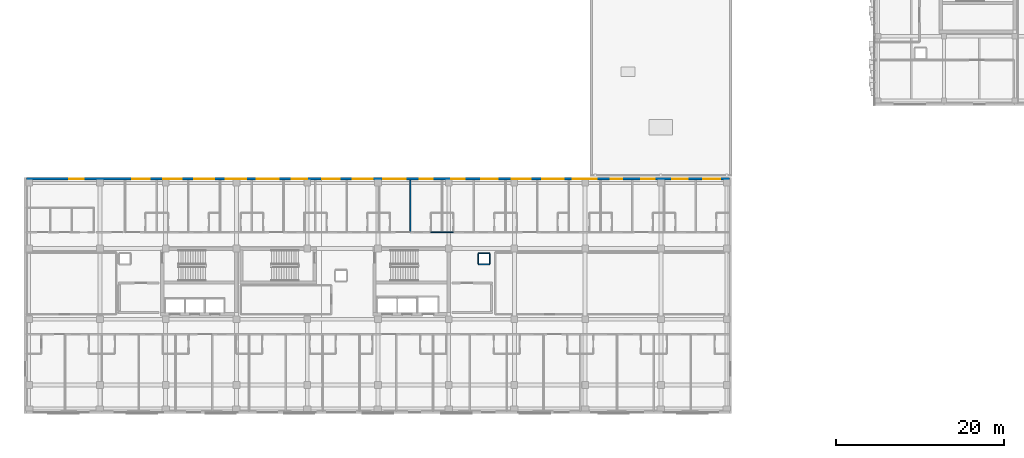
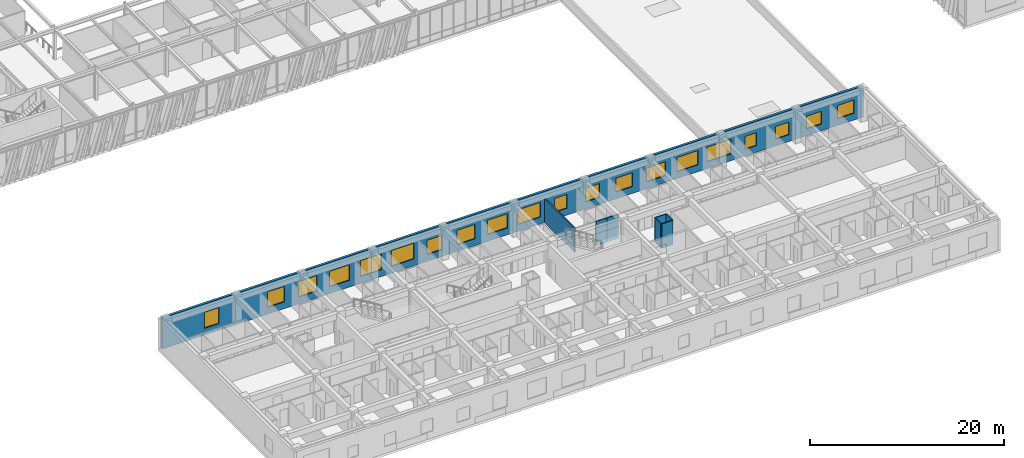
# One storey, part 101 of 127: 20 windows, 8 walls, 20 openings.
"""IFC4 building model written with IfcOpenShell, lengths in metres."""

from ifc_helpers import new_model, si_unit, direction, frame, frame_2d, origin, place, context, subcontext, project, spatial, rectangle, extrude, material, layer, layer_set, type_object, element, fill, save


model = new_model("IFC4")

# Units and contexts
model_context = context("Model", 3, precision=1e-05, world=origin(), true_north=direction((0.0, 1.0)))
body_context = subcontext(model_context, "Body", "Model", "MODEL_VIEW")
ifc_project = project(units=[si_unit("LENGTHUNIT", "METRE"), si_unit("AREAUNIT", "SQUARE_METRE"), si_unit("VOLUMEUNIT", "CUBIC_METRE"), si_unit("PLANEANGLEUNIT", "RADIAN"), si_unit("MASSUNIT", "GRAM", prefix="KILO")], contexts=[model_context])

# Site, building, storey
site_placement = place(None, origin())
site = spatial("IfcSite", under=ifc_project, at=site_placement, CompositionType="ELEMENT")
building_placement = place(site_placement, origin())
building = spatial("IfcBuilding", under=site, at=building_placement, Name="Zayran Congress Hotel", CompositionType="ELEMENT")
storey_placement = place(building_placement, frame((0.0, 0.0, 10.800048828125)))
storey = spatial("IfcBuildingStorey", under=building, at=storey_placement, Name="L02", CompositionType="ELEMENT", Elevation=10.800048828125)

# Wall, openings, windows
ifc_material_1 = material(Name="Hajar Ma'ani limestone cavity wall and concrete C32/40", Category="masonry")
ifc_layer_1 = layer(ifc_material_1, 0.280029296875)
ifc_layer_set_1 = layer_set([ifc_layer_1], Name="Hajar Ma'ani limestone cavity wall and concrete C32/40")
wall_type_1 = type_object("IfcWallType", Name="WL-EX-280", PredefinedType="SOLIDWALL", material=ifc_layer_set_1)
wall_1_placement = place(storey_placement, frame((8.679931640625, 33.860107421875, 0.0), z_axis=(0.0, 0.0, 1.0), x_axis=(1.0, 0.0, 0.0)))
wall_1 = element("IfcWall", 1, at=wall_1_placement, inside=storey, type_object=wall_type_1, Name="EW-V5-N-L02", PredefinedType="SOLIDWALL", context=body_context, shape_type="SweptSolid", body=[
    extrude(rectangle(XDim=83.440185546875, YDim=0.280029296875, at=frame_2d((41.72021484375, 0.0))), origin(), (0.0, 0.0, 1.0), 3.919921875),
])
opening_1_placement = place(wall_1_placement, frame((5.070068359375, 0.0, 0.85009765625)))
opening_1 = element("IfcOpeningElement", 2, at=opening_1_placement, cuts=wall_1, Name="Opening WN-27", PredefinedType="OPENING", context=body_context, shape_type="SweptSolid", body=[
    extrude(rectangle(XDim=1.699951171875, YDim=2.0, at=frame_2d((0.85009765625, 1.0))), frame((0.0, 0.14990234375, 0.0), z_axis=(0.0, -1.0, 0.0), x_axis=(1.0, 0.0, 0.0)), (0.0, 0.0, 1.0), 0.300048828125),
])
opening_2_placement = place(wall_1_placement, frame((12.556884765625, 0.0, 0.85009765625)))
opening_2 = element("IfcOpeningElement", 3, at=opening_2_placement, cuts=wall_1, Name="Opening WN-39", PredefinedType="OPENING", context=body_context, shape_type="SweptSolid", body=[
    extrude(rectangle(XDim=2.050048828125, YDim=1.949951171875, at=frame_2d((1.02490234375, 0.97509765625))), frame((0.0, 0.14990234375, 0.0), z_axis=(0.0, -1.0, 0.0), x_axis=(1.0, 0.0, 0.0)), (0.0, 0.0, 1.0), 0.300048828125),
])
opening_3_placement = place(wall_1_placement, frame((16.256103515625, 0.0, 0.85009765625)))
opening_3 = element("IfcOpeningElement", 4, at=opening_3_placement, cuts=wall_1, Name="Opening WN-40", PredefinedType="OPENING", context=body_context, shape_type="SweptSolid", body=[
    extrude(rectangle(XDim=2.179931640625, YDim=1.949951171875, at=frame_2d((1.08984375, 0.97509765625))), frame((0.0, 0.14990234375, 0.0), z_axis=(0.0, -1.0, 0.0), x_axis=(1.0, 0.0, 0.0)), (0.0, 0.0, 1.0), 0.300048828125),
])
opening_4_placement = place(wall_1_placement, frame((19.9208984375, 0.0, 0.85009765625)))
opening_4 = element("IfcOpeningElement", 5, at=opening_4_placement, cuts=wall_1, Name="Opening WN-41", PredefinedType="OPENING", context=body_context, shape_type="SweptSolid", body=[
    extrude(rectangle(XDim=2.3798828125, YDim=1.949951171875, at=frame_2d((1.18994140625, 0.97509765625))), frame((0.0, 0.14990234375, 0.0), z_axis=(0.0, -1.0, 0.0), x_axis=(1.0, 0.0, 0.0)), (0.0, 0.0, 1.0), 0.300048828125),
])
opening_5_placement = place(wall_1_placement, frame((23.635009765625, 0.0, 0.85009765625)))
opening_5 = element("IfcOpeningElement", 6, at=opening_5_placement, cuts=wall_1, Name="Opening WN-42", PredefinedType="OPENING", context=body_context, shape_type="SweptSolid", body=[
    extrude(rectangle(XDim=2.47998046875, YDim=2.0, at=frame_2d((1.239990234375, 1.0))), frame((0.0, 0.14990234375, 0.0), z_axis=(0.0, -1.0, 0.0), x_axis=(1.0, 0.0, 0.0)), (0.0, 0.0, 1.0), 0.300048828125),
])
opening_6_placement = place(wall_1_placement, frame((27.31396484375, 0.0, 0.85009765625)))
opening_6 = element("IfcOpeningElement", 7, at=opening_6_placement, cuts=wall_1, Name="Opening WN-43", PredefinedType="OPENING", context=body_context, shape_type="SweptSolid", body=[
    extrude(rectangle(XDim=2.64990234375, YDim=2.0, at=frame_2d((1.324951171875, 1.0))), frame((0.0, 0.14990234375, 0.0), z_axis=(0.0, -1.0, 0.0), x_axis=(1.0, 0.0, 0.0)), (0.0, 0.0, 1.0), 0.300048828125),
])
opening_7_placement = place(wall_1_placement, frame((31.5029296875, 0.0, 0.85009765625)))
opening_7 = element("IfcOpeningElement", 8, at=opening_7_placement, cuts=wall_1, Name="Opening WN-01", PredefinedType="OPENING", context=body_context, shape_type="SweptSolid", body=[
    extrude(rectangle(XDim=1.800048828125, YDim=1.800048828125, at=frame_2d((0.89990234375, 0.89990234375))), frame((0.0, 0.14990234375, 0.0), z_axis=(0.0, -1.0, 0.0), x_axis=(1.0, 0.0, 0.0)), (0.0, 0.0, 1.0), 0.300048828125),
])
opening_8_placement = place(wall_1_placement, frame((35.116943359375, 0.0, 0.85009765625)))
opening_8 = element("IfcOpeningElement", 9, at=opening_8_placement, cuts=wall_1, Name="Opening WN-02", PredefinedType="OPENING", context=body_context, shape_type="SweptSolid", body=[
    extrude(rectangle(XDim=2.10009765625, YDim=1.800048828125, at=frame_2d((1.050048828125, 0.89990234375))), frame((0.0, 0.14990234375, 0.0), z_axis=(0.0, -1.0, 0.0), x_axis=(1.0, 0.0, 0.0)), (0.0, 0.0, 1.0), 0.300048828125),
])
opening_9_placement = place(wall_1_placement, frame((38.73095703125, 0.0, 0.85009765625)))
opening_9 = element("IfcOpeningElement", 10, at=opening_9_placement, cuts=wall_1, Name="Opening WN-03", PredefinedType="OPENING", context=body_context, shape_type="SweptSolid", body=[
    extrude(rectangle(XDim=2.39990234375, YDim=1.800048828125, at=frame_2d((1.199951171875, 0.89990234375))), frame((0.0, 0.14990234375, 0.0), z_axis=(0.0, -1.0, 0.0), x_axis=(1.0, 0.0, 0.0)), (0.0, 0.0, 1.0), 0.300048828125),
])
opening_10_placement = place(wall_1_placement, frame((42.345947265625, 0.0, 0.85009765625)))
opening_10 = element("IfcOpeningElement", 11, at=opening_10_placement, cuts=wall_1, Name="Opening WN-04", PredefinedType="OPENING", context=body_context, shape_type="SweptSolid", body=[
    extrude(rectangle(XDim=2.699951171875, YDim=1.85009765625, at=frame_2d((1.35009765625, 0.925048828125))), frame((0.0, 0.14990234375, 0.0), z_axis=(0.0, -1.0, 0.0), x_axis=(1.0, 0.0, 0.0)), (0.0, 0.0, 1.0), 0.300048828125),
])
opening_11_placement = place(wall_1_placement, frame((46.7099609375, 0.0, 0.85009765625)))
opening_11 = element("IfcOpeningElement", 12, at=opening_11_placement, cuts=wall_1, Name="Opening WN-06", PredefinedType="OPENING", context=body_context, shape_type="SweptSolid", body=[
    extrude(rectangle(XDim=1.5, YDim=1.75, at=frame_2d((0.75, 0.875))), frame((0.0, 0.14990234375, 0.0), z_axis=(0.0, -1.0, 0.0), x_axis=(1.0, 0.0, 0.0)), (0.0, 0.0, 1.0), 0.300048828125),
])
opening_12_placement = place(wall_1_placement, frame((50.39892578125, 0.0, 0.85009765625)))
opening_12 = element("IfcOpeningElement", 13, at=opening_12_placement, cuts=wall_1, Name="Opening WN-07", PredefinedType="OPENING", context=body_context, shape_type="SweptSolid", body=[
    extrude(rectangle(XDim=1.64990234375, YDim=1.75, at=frame_2d((0.824951171875, 0.875))), frame((0.0, 0.14990234375, 0.0), z_axis=(0.0, -1.0, 0.0), x_axis=(1.0, 0.0, 0.0)), (0.0, 0.0, 1.0), 0.300048828125),
])
opening_13_placement = place(wall_1_placement, frame((54.013916015625, 0.0, 0.85009765625)))
opening_13 = element("IfcOpeningElement", 14, at=opening_13_placement, cuts=wall_1, Name="Opening WN-08", PredefinedType="OPENING", context=body_context, shape_type="SweptSolid", body=[
    extrude(rectangle(XDim=1.949951171875, YDim=1.75, at=frame_2d((0.97509765625, 0.875))), frame((0.0, 0.14990234375, 0.0), z_axis=(0.0, -1.0, 0.0), x_axis=(1.0, 0.0, 0.0)), (0.0, 0.0, 1.0), 0.300048828125),
])
opening_14_placement = place(wall_1_placement, frame((57.6279296875, 0.0, 0.85009765625)))
opening_14 = element("IfcOpeningElement", 15, at=opening_14_placement, cuts=wall_1, Name="Opening WN-09", PredefinedType="OPENING", context=body_context, shape_type="SweptSolid", body=[
    extrude(rectangle(XDim=2.25, YDim=1.75, at=frame_2d((1.125, 0.875))), frame((0.0, 0.14990234375, 0.0), z_axis=(0.0, -1.0, 0.0), x_axis=(1.0, 0.0, 0.0)), (0.0, 0.0, 1.0), 0.300048828125),
])
opening_15_placement = place(wall_1_placement, frame((61.241943359375, 0.0, 0.85009765625)))
opening_15 = element("IfcOpeningElement", 16, at=opening_15_placement, cuts=wall_1, Name="Opening WN-10", PredefinedType="OPENING", context=body_context, shape_type="SweptSolid", body=[
    extrude(rectangle(XDim=2.550048828125, YDim=1.800048828125, at=frame_2d((1.27490234375, 0.89990234375))), frame((0.0, 0.14990234375, 0.0), z_axis=(0.0, -1.0, 0.0), x_axis=(1.0, 0.0, 0.0)), (0.0, 0.0, 1.0), 0.300048828125),
])
opening_16_placement = place(wall_1_placement, frame((64.85595703125, 0.0, 0.85009765625)))
opening_16 = element("IfcOpeningElement", 17, at=opening_16_placement, cuts=wall_1, Name="Opening WN-11", PredefinedType="OPENING", context=body_context, shape_type="SweptSolid", body=[
    extrude(rectangle(XDim=2.85009765625, YDim=1.85009765625, at=frame_2d((1.425048828125, 0.925048828125))), frame((0.0, 0.14990234375, 0.0), z_axis=(0.0, -1.0, 0.0), x_axis=(1.0, 0.0, 0.0)), (0.0, 0.0, 1.0), 0.300048828125),
])
opening_17_placement = place(wall_1_placement, frame((69.344970703125, 0.0, 0.85009765625)))
opening_17 = element("IfcOpeningElement", 18, at=opening_17_placement, cuts=wall_1, Name="Opening WN-14", PredefinedType="OPENING", context=body_context, shape_type="SweptSolid", body=[
    extrude(rectangle(XDim=1.39990234375, YDim=1.60009765625, at=frame_2d((0.699951171875, 0.800048828125))), frame((0.0, 0.14990234375, 0.0), z_axis=(0.0, -1.0, 0.0), x_axis=(1.0, 0.0, 0.0)), (0.0, 0.0, 1.0), 0.300048828125),
])
opening_18_placement = place(wall_1_placement, frame((73.009033203125, 0.0, 0.85009765625)))
opening_18 = element("IfcOpeningElement", 19, at=opening_18_placement, cuts=wall_1, Name="Opening WN-15", PredefinedType="OPENING", context=body_context, shape_type="SweptSolid", body=[
    extrude(rectangle(XDim=1.60009765625, YDim=1.60009765625, at=frame_2d((0.800048828125, 0.800048828125))), frame((0.0, 0.14990234375, 0.0), z_axis=(0.0, -1.0, 0.0), x_axis=(1.0, 0.0, 0.0)), (0.0, 0.0, 1.0), 0.300048828125),
])
opening_19_placement = place(wall_1_placement, frame((76.674072265625, 0.0, 0.85009765625)))
opening_19 = element("IfcOpeningElement", 20, at=opening_19_placement, cuts=wall_1, Name="Opening WN-16", PredefinedType="OPENING", context=body_context, shape_type="SweptSolid", body=[
    extrude(rectangle(XDim=1.800048828125, YDim=1.60009765625, at=frame_2d((0.89990234375, 0.800048828125))), frame((0.0, 0.14990234375, 0.0), z_axis=(0.0, -1.0, 0.0), x_axis=(1.0, 0.0, 0.0)), (0.0, 0.0, 1.0), 0.300048828125),
])
opening_20_placement = place(wall_1_placement, frame((80.337890625, 0.0, 0.85009765625)))
opening_20 = element("IfcOpeningElement", 21, at=opening_20_placement, cuts=wall_1, Name="Opening WN-17", PredefinedType="OPENING", context=body_context, shape_type="SweptSolid", body=[
    extrude(rectangle(XDim=2.0, YDim=1.64990234375, at=frame_2d((1.0, 0.824951171875))), frame((0.0, 0.14990234375, 0.0), z_axis=(0.0, -1.0, 0.0), x_axis=(1.0, 0.0, 0.0)), (0.0, 0.0, 1.0), 0.300048828125),
])
ifc_material_2 = material(Name="Anodised aluminium and low-E insulated glass", Category="aluminium")
window_type_1 = type_object("IfcWindowType", Name="TP-WN-01", PartitioningType="SINGLE_PANEL", PredefinedType="WINDOW", material=ifc_material_2)
window_1_placement = place(opening_7_placement, origin())
window_1 = element("IfcWindow", 22, at=window_1_placement, inside=storey, type_object=window_type_1, Name="WIN-V5N-L02-0216", OverallHeight=1.800048828125, OverallWidth=1.800048828125, PartitioningType="SINGLE_PANEL", PredefinedType="WINDOW", context=body_context, shape_type="SweptSolid", body=[
    extrude(rectangle(XDim=1.800048828125, YDim=1.800048828125, at=frame_2d((0.89990234375, 0.89990234375))), frame((0.0, 0.030029296875, 0.0), z_axis=(0.0, -1.0, 0.0), x_axis=(1.0, 0.0, 0.0)), (0.0, 0.0, 1.0), 0.06005859375),
])
fill(opening_7, window_1)
window_type_2 = type_object("IfcWindowType", Name="TP-WN-02", PartitioningType="DOUBLE_PANEL_VERTICAL", PredefinedType="WINDOW", material=ifc_material_2)
window_2_placement = place(opening_8_placement, origin())
window_2 = element("IfcWindow", 23, at=window_2_placement, inside=storey, type_object=window_type_2, Name="WIN-V5N-L02-0217", OverallHeight=1.800048828125, OverallWidth=2.10009765625, PartitioningType="SINGLE_PANEL", PredefinedType="WINDOW", context=body_context, shape_type="SweptSolid", body=[
    extrude(rectangle(XDim=2.10009765625, YDim=1.800048828125, at=frame_2d((1.050048828125, 0.89990234375))), frame((0.0, 0.030029296875, 0.0), z_axis=(0.0, -1.0, 0.0), x_axis=(1.0, 0.0, 0.0)), (0.0, 0.0, 1.0), 0.06005859375),
])
fill(opening_8, window_2)
window_type_3 = type_object("IfcWindowType", Name="TP-WN-03", PartitioningType="DOUBLE_PANEL_VERTICAL", PredefinedType="WINDOW", material=ifc_material_2)
window_3_placement = place(opening_9_placement, origin())
window_3 = element("IfcWindow", 24, at=window_3_placement, inside=storey, type_object=window_type_3, Name="WIN-V5N-L02-0218", OverallHeight=1.800048828125, OverallWidth=2.39990234375, PartitioningType="SINGLE_PANEL", PredefinedType="WINDOW", context=body_context, shape_type="SweptSolid", body=[
    extrude(rectangle(XDim=2.39990234375, YDim=1.800048828125, at=frame_2d((1.199951171875, 0.89990234375))), frame((0.0, 0.030029296875, 0.0), z_axis=(0.0, -1.0, 0.0), x_axis=(1.0, 0.0, 0.0)), (0.0, 0.0, 1.0), 0.06005859375),
])
fill(opening_9, window_3)
window_type_4 = type_object("IfcWindowType", Name="TP-WN-04", PartitioningType="TRIPLE_PANEL_VERTICAL", PredefinedType="WINDOW", material=ifc_material_2)
window_4_placement = place(opening_10_placement, origin())
window_4 = element("IfcWindow", 25, at=window_4_placement, inside=storey, type_object=window_type_4, Name="WIN-V5N-L02-0219", OverallHeight=1.85009765625, OverallWidth=2.699951171875, PartitioningType="SINGLE_PANEL", PredefinedType="WINDOW", context=body_context, shape_type="SweptSolid", body=[
    extrude(rectangle(XDim=2.699951171875, YDim=1.85009765625, at=frame_2d((1.35009765625, 0.925048828125))), frame((0.0, 0.030029296875, 0.0), z_axis=(0.0, -1.0, 0.0), x_axis=(1.0, 0.0, 0.0)), (0.0, 0.0, 1.0), 0.06005859375),
])
fill(opening_10, window_4)
window_type_5 = type_object("IfcWindowType", Name="TP-WN-06", PartitioningType="SINGLE_PANEL", PredefinedType="WINDOW", material=ifc_material_2)
window_5_placement = place(opening_11_placement, origin())
window_5 = element("IfcWindow", 26, at=window_5_placement, inside=storey, type_object=window_type_5, Name="WIN-V5N-L02-0220", OverallHeight=1.75, OverallWidth=1.5, PartitioningType="SINGLE_PANEL", PredefinedType="WINDOW", context=body_context, shape_type="SweptSolid", body=[
    extrude(rectangle(XDim=1.5, YDim=1.75, at=frame_2d((0.75, 0.875))), frame((0.0, 0.030029296875, 0.0), z_axis=(0.0, -1.0, 0.0), x_axis=(1.0, 0.0, 0.0)), (0.0, 0.0, 1.0), 0.06005859375),
])
fill(opening_11, window_5)
window_type_6 = type_object("IfcWindowType", Name="TP-WN-07", PartitioningType="SINGLE_PANEL", PredefinedType="WINDOW", material=ifc_material_2)
window_6_placement = place(opening_12_placement, origin())
window_6 = element("IfcWindow", 27, at=window_6_placement, inside=storey, type_object=window_type_6, Name="WIN-V5N-L02-0221", OverallHeight=1.75, OverallWidth=1.64990234375, PartitioningType="SINGLE_PANEL", PredefinedType="WINDOW", context=body_context, shape_type="SweptSolid", body=[
    extrude(rectangle(XDim=1.64990234375, YDim=1.75, at=frame_2d((0.824951171875, 0.875))), frame((0.0, 0.030029296875, 0.0), z_axis=(0.0, -1.0, 0.0), x_axis=(1.0, 0.0, 0.0)), (0.0, 0.0, 1.0), 0.06005859375),
])
fill(opening_12, window_6)
window_type_7 = type_object("IfcWindowType", Name="TP-WN-08", PartitioningType="DOUBLE_PANEL_VERTICAL", PredefinedType="WINDOW", material=ifc_material_2)
window_7_placement = place(opening_13_placement, origin())
window_7 = element("IfcWindow", 28, at=window_7_placement, inside=storey, type_object=window_type_7, Name="WIN-V5N-L02-0222", OverallHeight=1.75, OverallWidth=1.949951171875, PartitioningType="SINGLE_PANEL", PredefinedType="WINDOW", context=body_context, shape_type="SweptSolid", body=[
    extrude(rectangle(XDim=1.949951171875, YDim=1.75, at=frame_2d((0.97509765625, 0.875))), frame((0.0, 0.030029296875, 0.0), z_axis=(0.0, -1.0, 0.0), x_axis=(1.0, 0.0, 0.0)), (0.0, 0.0, 1.0), 0.06005859375),
])
fill(opening_13, window_7)
window_type_8 = type_object("IfcWindowType", Name="TP-WN-09", PartitioningType="DOUBLE_PANEL_VERTICAL", PredefinedType="WINDOW", material=ifc_material_2)
window_8_placement = place(opening_14_placement, origin())
window_8 = element("IfcWindow", 29, at=window_8_placement, inside=storey, type_object=window_type_8, Name="WIN-V5N-L02-0223", OverallHeight=1.75, OverallWidth=2.25, PartitioningType="SINGLE_PANEL", PredefinedType="WINDOW", context=body_context, shape_type="SweptSolid", body=[
    extrude(rectangle(XDim=2.25, YDim=1.75, at=frame_2d((1.125, 0.875))), frame((0.0, 0.030029296875, 0.0), z_axis=(0.0, -1.0, 0.0), x_axis=(1.0, 0.0, 0.0)), (0.0, 0.0, 1.0), 0.06005859375),
])
fill(opening_14, window_8)
window_type_9 = type_object("IfcWindowType", Name="TP-WN-10", PartitioningType="DOUBLE_PANEL_VERTICAL", PredefinedType="WINDOW", material=ifc_material_2)
window_9_placement = place(opening_15_placement, origin())
window_9 = element("IfcWindow", 30, at=window_9_placement, inside=storey, type_object=window_type_9, Name="WIN-V5N-L02-0224", OverallHeight=1.800048828125, OverallWidth=2.550048828125, PartitioningType="SINGLE_PANEL", PredefinedType="WINDOW", context=body_context, shape_type="SweptSolid", body=[
    extrude(rectangle(XDim=2.550048828125, YDim=1.800048828125, at=frame_2d((1.27490234375, 0.89990234375))), frame((0.0, 0.030029296875, 0.0), z_axis=(0.0, -1.0, 0.0), x_axis=(1.0, 0.0, 0.0)), (0.0, 0.0, 1.0), 0.06005859375),
])
fill(opening_15, window_9)
window_type_10 = type_object("IfcWindowType", Name="TP-WN-11", PartitioningType="TRIPLE_PANEL_VERTICAL", PredefinedType="WINDOW", material=ifc_material_2)
window_10_placement = place(opening_16_placement, origin())
window_10 = element("IfcWindow", 31, at=window_10_placement, inside=storey, type_object=window_type_10, Name="WIN-V5N-L02-0225", OverallHeight=1.85009765625, OverallWidth=2.85009765625, PartitioningType="SINGLE_PANEL", PredefinedType="WINDOW", context=body_context, shape_type="SweptSolid", body=[
    extrude(rectangle(XDim=2.85009765625, YDim=1.85009765625, at=frame_2d((1.425048828125, 0.925048828125))), frame((0.0, 0.030029296875, 0.0), z_axis=(0.0, -1.0, 0.0), x_axis=(1.0, 0.0, 0.0)), (0.0, 0.0, 1.0), 0.06005859375),
])
fill(opening_16, window_10)
window_type_11 = type_object("IfcWindowType", Name="TP-WN-14", PartitioningType="SINGLE_PANEL", PredefinedType="WINDOW", material=ifc_material_2)
window_11_placement = place(opening_17_placement, origin())
window_11 = element("IfcWindow", 32, at=window_11_placement, inside=storey, type_object=window_type_11, Name="WIN-V5N-L02-0226", OverallHeight=1.60009765625, OverallWidth=1.39990234375, PartitioningType="SINGLE_PANEL", PredefinedType="WINDOW", context=body_context, shape_type="SweptSolid", body=[
    extrude(rectangle(XDim=1.39990234375, YDim=1.60009765625, at=frame_2d((0.699951171875, 0.800048828125))), frame((0.0, 0.030029296875, 0.0), z_axis=(0.0, -1.0, 0.0), x_axis=(1.0, 0.0, 0.0)), (0.0, 0.0, 1.0), 0.06005859375),
])
fill(opening_17, window_11)
window_type_12 = type_object("IfcWindowType", Name="TP-WN-15", PartitioningType="SINGLE_PANEL", PredefinedType="WINDOW", material=ifc_material_2)
window_12_placement = place(opening_18_placement, origin())
window_12 = element("IfcWindow", 33, at=window_12_placement, inside=storey, type_object=window_type_12, Name="WIN-V5N-L02-0227", OverallHeight=1.60009765625, OverallWidth=1.60009765625, PartitioningType="SINGLE_PANEL", PredefinedType="WINDOW", context=body_context, shape_type="SweptSolid", body=[
    extrude(rectangle(XDim=1.60009765625, YDim=1.60009765625, at=frame_2d((0.800048828125, 0.800048828125))), frame((0.0, 0.030029296875, 0.0), z_axis=(0.0, -1.0, 0.0), x_axis=(1.0, 0.0, 0.0)), (0.0, 0.0, 1.0), 0.06005859375),
])
fill(opening_18, window_12)
window_type_13 = type_object("IfcWindowType", Name="TP-WN-16", PartitioningType="DOUBLE_PANEL_VERTICAL", PredefinedType="WINDOW", material=ifc_material_2)
window_13_placement = place(opening_19_placement, origin())
window_13 = element("IfcWindow", 34, at=window_13_placement, inside=storey, type_object=window_type_13, Name="WIN-V5N-L02-0228", OverallHeight=1.60009765625, OverallWidth=1.800048828125, PartitioningType="SINGLE_PANEL", PredefinedType="WINDOW", context=body_context, shape_type="SweptSolid", body=[
    extrude(rectangle(XDim=1.800048828125, YDim=1.60009765625, at=frame_2d((0.89990234375, 0.800048828125))), frame((0.0, 0.030029296875, 0.0), z_axis=(0.0, -1.0, 0.0), x_axis=(1.0, 0.0, 0.0)), (0.0, 0.0, 1.0), 0.06005859375),
])
fill(opening_19, window_13)
window_type_14 = type_object("IfcWindowType", Name="TP-WN-17", PartitioningType="DOUBLE_PANEL_VERTICAL", PredefinedType="WINDOW", material=ifc_material_2)
window_14_placement = place(opening_20_placement, origin())
window_14 = element("IfcWindow", 35, at=window_14_placement, inside=storey, type_object=window_type_14, Name="WIN-V5N-L02-0229", OverallHeight=1.64990234375, OverallWidth=2.0, PartitioningType="SINGLE_PANEL", PredefinedType="WINDOW", context=body_context, shape_type="SweptSolid", body=[
    extrude(rectangle(XDim=2.0, YDim=1.64990234375, at=frame_2d((1.0, 0.824951171875))), frame((0.0, 0.030029296875, 0.0), z_axis=(0.0, -1.0, 0.0), x_axis=(1.0, 0.0, 0.0)), (0.0, 0.0, 1.0), 0.06005859375),
])
fill(opening_20, window_14)
window_type_15 = type_object("IfcWindowType", Name="TP-WN-27", PartitioningType="DOUBLE_PANEL_VERTICAL", PredefinedType="WINDOW", material=ifc_material_2)
window_15_placement = place(opening_1_placement, origin())
window_15 = element("IfcWindow", 36, at=window_15_placement, inside=storey, type_object=window_type_15, Name="WIN-V5N-L02-0210", OverallHeight=2.0, OverallWidth=1.699951171875, PartitioningType="SINGLE_PANEL", PredefinedType="WINDOW", context=body_context, shape_type="SweptSolid", body=[
    extrude(rectangle(XDim=1.699951171875, YDim=2.0, at=frame_2d((0.85009765625, 1.0))), frame((0.0, 0.030029296875, 0.0), z_axis=(0.0, -1.0, 0.0), x_axis=(1.0, 0.0, 0.0)), (0.0, 0.0, 1.0), 0.06005859375),
])
fill(opening_1, window_15)
window_type_16 = type_object("IfcWindowType", Name="TP-WN-39", PartitioningType="DOUBLE_PANEL_VERTICAL", PredefinedType="WINDOW", material=ifc_material_2)
window_16_placement = place(opening_2_placement, origin())
window_16 = element("IfcWindow", 37, at=window_16_placement, inside=storey, type_object=window_type_16, Name="WIN-V5N-L02-0211", OverallHeight=1.949951171875, OverallWidth=2.050048828125, PartitioningType="SINGLE_PANEL", PredefinedType="WINDOW", context=body_context, shape_type="SweptSolid", body=[
    extrude(rectangle(XDim=2.050048828125, YDim=1.949951171875, at=frame_2d((1.02490234375, 0.97509765625))), frame((0.0, 0.030029296875, 0.0), z_axis=(0.0, -1.0, 0.0), x_axis=(1.0, 0.0, 0.0)), (0.0, 0.0, 1.0), 0.06005859375),
])
fill(opening_2, window_16)
window_type_17 = type_object("IfcWindowType", Name="TP-WN-40", PartitioningType="DOUBLE_PANEL_VERTICAL", PredefinedType="WINDOW", material=ifc_material_2)
window_17_placement = place(opening_3_placement, origin())
window_17 = element("IfcWindow", 38, at=window_17_placement, inside=storey, type_object=window_type_17, Name="WIN-V5N-L02-0212", OverallHeight=1.949951171875, OverallWidth=2.179931640625, PartitioningType="SINGLE_PANEL", PredefinedType="WINDOW", context=body_context, shape_type="SweptSolid", body=[
    extrude(rectangle(XDim=2.179931640625, YDim=1.949951171875, at=frame_2d((1.08984375, 0.97509765625))), frame((0.0, 0.030029296875, 0.0), z_axis=(0.0, -1.0, 0.0), x_axis=(1.0, 0.0, 0.0)), (0.0, 0.0, 1.0), 0.06005859375),
])
fill(opening_3, window_17)
window_type_18 = type_object("IfcWindowType", Name="TP-WN-41", PartitioningType="DOUBLE_PANEL_VERTICAL", PredefinedType="WINDOW", material=ifc_material_2)
window_18_placement = place(opening_4_placement, origin())
window_18 = element("IfcWindow", 39, at=window_18_placement, inside=storey, type_object=window_type_18, Name="WIN-V5N-L02-0213", OverallHeight=1.949951171875, OverallWidth=2.3798828125, PartitioningType="SINGLE_PANEL", PredefinedType="WINDOW", context=body_context, shape_type="SweptSolid", body=[
    extrude(rectangle(XDim=2.3798828125, YDim=1.949951171875, at=frame_2d((1.18994140625, 0.97509765625))), frame((0.0, 0.030029296875, 0.0), z_axis=(0.0, -1.0, 0.0), x_axis=(1.0, 0.0, 0.0)), (0.0, 0.0, 1.0), 0.06005859375),
])
fill(opening_4, window_18)
window_type_19 = type_object("IfcWindowType", Name="TP-WN-42", PartitioningType="DOUBLE_PANEL_VERTICAL", PredefinedType="WINDOW", material=ifc_material_2)
window_19_placement = place(opening_5_placement, origin())
window_19 = element("IfcWindow", 40, at=window_19_placement, inside=storey, type_object=window_type_19, Name="WIN-V5N-L02-0214", OverallHeight=2.0, OverallWidth=2.47998046875, PartitioningType="SINGLE_PANEL", PredefinedType="WINDOW", context=body_context, shape_type="SweptSolid", body=[
    extrude(rectangle(XDim=2.47998046875, YDim=2.0, at=frame_2d((1.239990234375, 1.0))), frame((0.0, 0.030029296875, 0.0), z_axis=(0.0, -1.0, 0.0), x_axis=(1.0, 0.0, 0.0)), (0.0, 0.0, 1.0), 0.06005859375),
])
fill(opening_5, window_19)
window_type_20 = type_object("IfcWindowType", Name="TP-WN-43", PartitioningType="TRIPLE_PANEL_VERTICAL", PredefinedType="WINDOW", material=ifc_material_2)
window_20_placement = place(opening_6_placement, origin())
window_20 = element("IfcWindow", 41, at=window_20_placement, inside=storey, type_object=window_type_20, Name="WIN-V5N-L02-0215", OverallHeight=2.0, OverallWidth=2.64990234375, PartitioningType="SINGLE_PANEL", PredefinedType="WINDOW", context=body_context, shape_type="SweptSolid", body=[
    extrude(rectangle(XDim=2.64990234375, YDim=2.0, at=frame_2d((1.324951171875, 1.0))), frame((0.0, 0.030029296875, 0.0), z_axis=(0.0, -1.0, 0.0), x_axis=(1.0, 0.0, 0.0)), (0.0, 0.0, 1.0), 0.06005859375),
])
fill(opening_6, window_20)

# Walls
ifc_material_3 = material(Name="Hospitality guestroom acoustic partition", Category="gypsum")
ifc_layer_2 = layer(ifc_material_3, 0.139892578125)
ifc_layer_set_2 = layer_set([ifc_layer_2], Name="Hospitality guestroom acoustic partition")
wall_type_2 = type_object("IfcWallType", Name="WL-PT-140", PredefinedType="PARTITIONING", material=ifc_layer_set_2)
wall_2_placement = place(storey_placement, frame((54.248046875, 27.52001953125, 0.0), z_axis=(0.0, 0.0, 1.0), x_axis=(0.0, 1.0, 0.0)))
element("IfcWall", 42, at=wall_2_placement, inside=storey, type_object=wall_type_2, Name="IW-L02-1860", PredefinedType="PARTITIONING", context=body_context, shape_type="SweptSolid", body=[
    extrude(rectangle(XDim=6.199951171875, YDim=0.139892578125, at=frame_2d((3.10009765625, 0.0))), origin(), (0.0, 0.0, 1.0), 3.02001953125),
])
for number, where, z_axis, x_axis, name in (
    (43, (62.330078125, 23.72998046875, 0.0), (0.0, 0.0, 1.0), (1.0, 0.0, 0.0), "RSWL-V5-L02-031-S"),
    (44, (63.68994140625, 25.050048828125, 0.0), (0.0, 0.0, 1.0), (-1.0, 0.0, 0.0), "RSWL-V5-L02-031-N"),
):
    element("IfcWall", number, at=place(storey_placement, frame(where, z_axis=z_axis, x_axis=x_axis)), inside=storey, type_object=wall_type_2, Name=name, PredefinedType="PARTITIONING", context=body_context, shape_type="SweptSolid", body=[
        extrude(rectangle(XDim=1.35986328125, YDim=0.139892578125, at=frame_2d((0.679931640625, 0.0))), origin(), (0.0, 0.0, 1.0), 3.0400390625),
    ])
for number, where, z_axis, x_axis, name in (
    (45, (62.330078125, 24.97998046875, 0.0), (0.0, 0.0, 1.0), (0.0, -1.0, 0.0), "RSWL-V5-L02-031-W"),
    (46, (63.68994140625, 23.800048828125, 0.0), (0.0, 0.0, 1.0), (0.0, 1.0, 0.0), "RSWL-V5-L02-031-E"),
):
    element("IfcWall", number, at=place(storey_placement, frame(where, z_axis=z_axis, x_axis=x_axis)), inside=storey, type_object=wall_type_2, Name=name, PredefinedType="PARTITIONING", context=body_context, shape_type="SweptSolid", body=[
        extrude(rectangle(XDim=1.179931640625, YDim=0.139892578125, at=frame_2d((0.58984375, 0.0))), origin(), (0.0, 0.0, 1.0), 3.0400390625),
    ])
ifc_material_4 = material(Name="Moisture-resistant bathroom partition", Category="gypsum")
ifc_layer_3 = layer(ifc_material_4, 0.1201171875)
ifc_layer_set_3 = layer_set([ifc_layer_3], Name="Moisture-resistant bathroom partition")
wall_type_3 = type_object("IfcWallType", Name="WL-PT-120", PredefinedType="PARTITIONING", material=ifc_layer_set_3)
wall_3_placement = place(storey_placement, frame((56.673095703125, 27.530029296875, 0.0), z_axis=(0.0, 0.0, 1.0), x_axis=(1.0, 0.0, 0.0)))
element("IfcWall", 47, at=wall_3_placement, inside=storey, type_object=wall_type_3, Name="IW-L02-1029", PredefinedType="PARTITIONING", context=body_context, shape_type="SweptSolid", body=[
    extrude(rectangle(XDim=1.348876953125, YDim=0.1201171875, at=frame_2d((0.67431640625, 0.0))), origin(), (0.0, 0.0, 1.0), 3.02001953125),
])
wall_4_placement = place(storey_placement, frame((58.02197265625, 27.530029296875, 0.0), z_axis=(0.0, 0.0, 1.0), x_axis=(1.0, 0.0, 0.0)))
element("IfcWall", 48, at=wall_4_placement, inside=storey, type_object=wall_type_3, Name="IW-L02-1031", PredefinedType="PARTITIONING", context=body_context, shape_type="SweptSolid", body=[
    extrude(rectangle(XDim=1.339111328125, YDim=0.1201171875, at=frame_2d((0.66943359375, 0.0))), origin(), (0.0, 0.0, 1.0), 3.02001953125),
])

save(model, "model.ifc")
